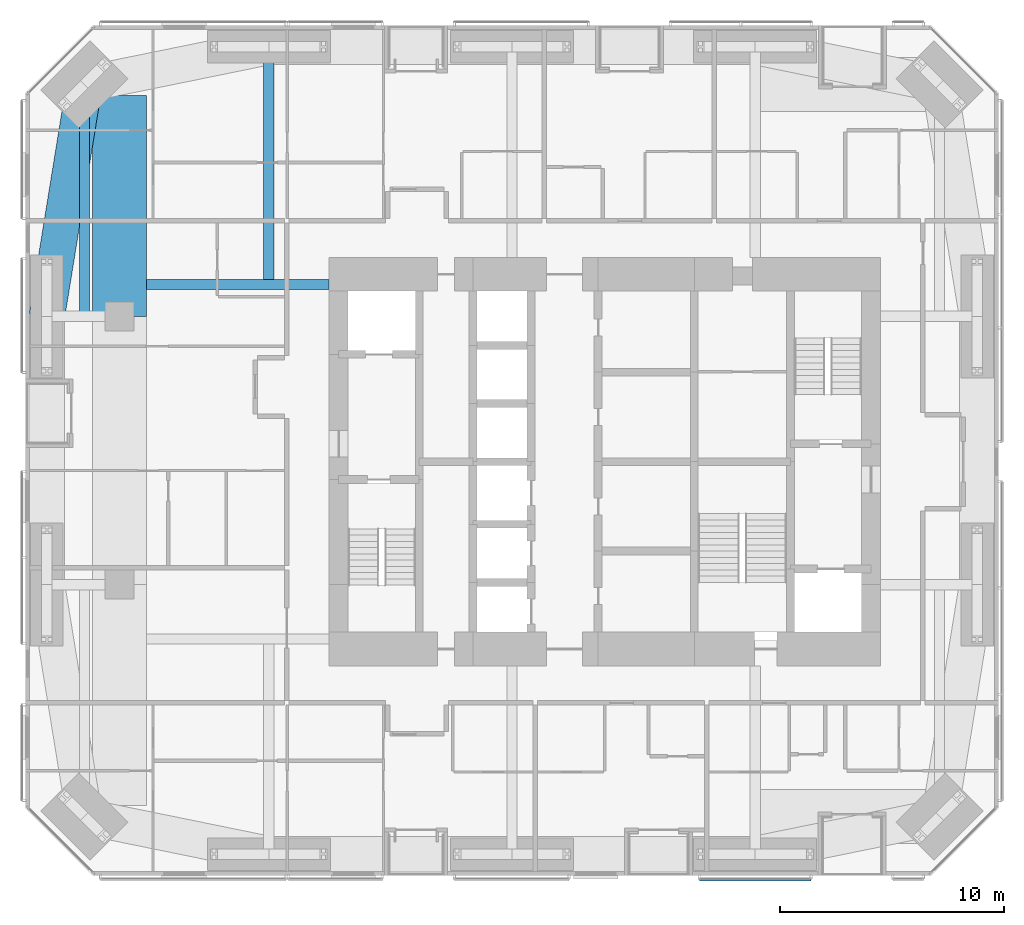
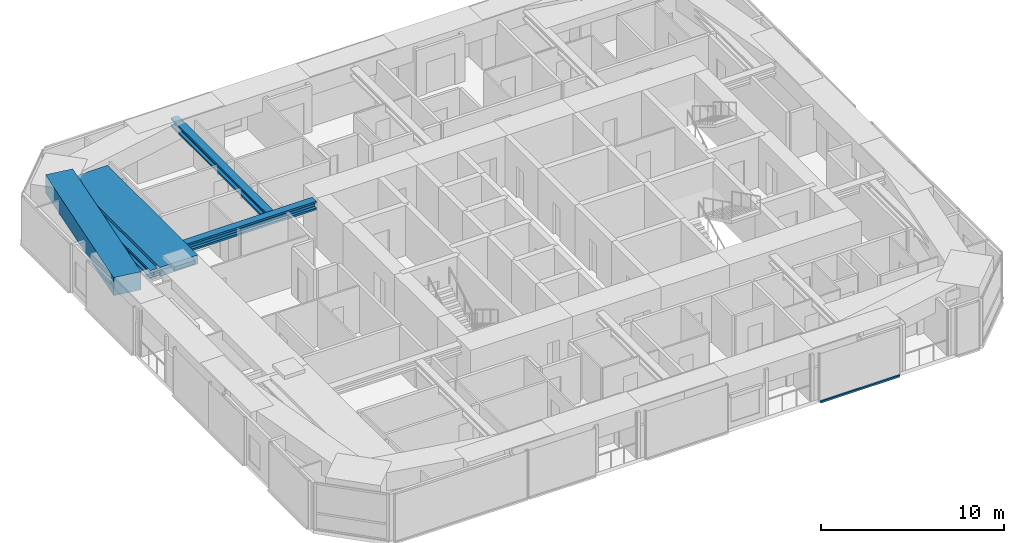
# One storey, part 8 of 25: 5 beams, 1 member, 1 element without a shape of its own.
"""IFC4 building model written with IfcOpenShell, lengths in metres."""

from ifc_helpers import new_model, si_unit, direction, frame, origin, origin_2d, place, context, subcontext, project, spatial, rectangle, i_section, extrude, material, material_profile, profile_set, type_object, element, aggregate, save


model = new_model("IFC4")

# Units and contexts
model_context = context("Model", 3, precision=1e-05, world=origin(), true_north=direction((0.0, 1.0)))
body_context = subcontext(model_context, "Body", "Model", "MODEL_VIEW")
ifc_project = project(units=[si_unit("LENGTHUNIT", "METRE"), si_unit("AREAUNIT", "SQUARE_METRE"), si_unit("VOLUMEUNIT", "CUBIC_METRE"), si_unit("PLANEANGLEUNIT", "RADIAN"), si_unit("MASSUNIT", "GRAM", prefix="KILO")], contexts=[model_context])

# Site, building, storey
site_placement = place(None, origin())
site = spatial("IfcSite", under=ifc_project, at=site_placement, CompositionType="ELEMENT")
building_placement = place(site_placement, origin())
building = spatial("IfcBuilding", under=site, at=building_placement, Name="Jalousie Tower", CompositionType="ELEMENT")
storey_placement = place(building_placement, frame((0.0, 0.0, 101.5)))
storey = spatial("IfcBuildingStorey", under=building, at=storey_placement, Name="L27", CompositionType="ELEMENT", Elevation=101.5)

# Beams
ifc_material_1 = material(Name="Steel ASTM A992 Grade 50", Category="steel")
ifc_material_profile_1 = material_profile(ifc_material_1, i_section(OverallWidth=0.45458984375, OverallDepth=0.569091796875, WebThickness=0.077880859375, FlangeThickness=0.124755859375, at=origin_2d()), Name="W14X730")
ifc_profile_set_1 = profile_set([ifc_material_profile_1], Name="Steel ASTM A992 Grade 50")
beam_type_1 = type_object("IfcBeamType", Name="LEAN COLLECTOR W14X730", PredefinedType="BEAM", material=ifc_profile_set_1)
beam_1_placement = place(storey_placement, frame((11.39990234375, 26.425048828125, 2.825439453125), z_axis=(1.0, 0.0, 0.0), x_axis=(0.0, 1.0, 0.0)))
element("IfcBeam", 1, at=beam_1_placement, inside=storey, type_object=beam_type_1, Name="Lean collector under L28", PredefinedType="BEAM", context=body_context, shape_type="SweptSolid", body=[
    extrude(i_section(OverallWidth=0.45458984375, OverallDepth=0.569091796875, WebThickness=0.077880859375, FlangeThickness=0.124755859375, at=origin_2d()), origin(), (0.0, 0.0, 1.0), 8.175048828125),
])
beam_2_placement = place(storey_placement, frame((8.63134765625, 35.36865234375, 2.825439453125), z_axis=(0.0, -1.0, 0.0), x_axis=(1.0, 0.0, 0.0)))
element("IfcBeam", 2, at=beam_2_placement, inside=storey, type_object=beam_type_1, Name="Lean collector under L28", PredefinedType="BEAM", context=body_context, shape_type="SweptSolid", body=[
    extrude(i_section(OverallWidth=0.45458984375, OverallDepth=0.569091796875, WebThickness=0.077880859375, FlangeThickness=0.124755859375, at=origin_2d()), origin(), (0.0, 0.0, 1.0), 10.36865234375),
])
beam_3_placement = place(storey_placement, frame((16.875, 37.050048828125, 2.825439453125), z_axis=(0.0, -1.0, 0.0), x_axis=(1.0, 0.0, 0.0)))
element("IfcBeam", 3, at=beam_3_placement, inside=storey, type_object=beam_type_1, Name="Lean collector under L28", PredefinedType="BEAM", context=body_context, shape_type="SweptSolid", body=[
    extrude(i_section(OverallWidth=0.45458984375, OverallDepth=0.569091796875, WebThickness=0.077880859375, FlangeThickness=0.124755859375, at=origin_2d()), origin(), (0.0, 0.0, 1.0), 10.625),
])
ifc_material_2 = material(Name="Concrete f'c 40 MPa", Category="concrete")
ifc_material_profile_2 = material_profile(ifc_material_2, rectangle(XDim=1.60009765625, YDim=1.199951171875, at=origin_2d()), Name="RC 1600x1200")
ifc_profile_set_2 = profile_set([ifc_material_profile_2], Name="Concrete f'c 40 MPa")
beam_type_2 = type_object("IfcBeamType", Name="RC BEAM 1600x1200", PredefinedType="BEAM", material=ifc_profile_set_2)
beam_4_placement = place(storey_placement, frame((8.63134765625, 35.36865234375, 2.75), z_axis=(-0.160070546476, -0.987105577003, 0.0), x_axis=(0.987105577003, -0.160070546476, 0.0)))
element("IfcBeam", 4, at=beam_4_placement, inside=storey, type_object=beam_type_2, Name="Edge band beam 12-13 under L28", PredefinedType="BEAM", context=body_context, shape_type="SweptSolid", body=[
    extrude(rectangle(XDim=1.60009765625, YDim=1.199951171875, at=origin_2d()), origin(), (0.0, 0.0, 1.0), 10.504150390625),
])
ifc_material_3 = material(Name="Concrete f'c 40 MPa", Category="concrete")
ifc_material_profile_3 = material_profile(ifc_material_3, rectangle(XDim=2.39990234375, YDim=0.60009765625, at=origin_2d()), Name="RC 2400x600")
ifc_profile_set_3 = profile_set([ifc_material_profile_3], Name="Concrete f'c 40 MPa")
beam_type_3 = type_object("IfcBeamType", Name="RC BEAM 2400x600", PredefinedType="BEAM", material=ifc_profile_set_3)
beam_5_placement = place(storey_placement, frame((10.199951171875, 25.0, 2.81005859375), z_axis=(0.0, 1.0, 0.0), x_axis=(-1.0, 0.0, 0.0)))
element("IfcBeam", 5, at=beam_5_placement, inside=storey, type_object=beam_type_3, Name="Floor band beam under L28", PredefinedType="BEAM", context=body_context, shape_type="SweptSolid", body=[
    extrude(rectangle(XDim=2.39990234375, YDim=0.60009765625, at=origin_2d()), origin(), (0.0, 0.0, 1.0), 9.8720703125),
])

# Curtain wall, member
ifc_material_4 = material(Name="Perforated aluminium sheet", Category="aluminium")
curtain_wall_type = type_object("IfcCurtainWallType", Name="SOLAR SCREEN SS-1", PredefinedType="USERDEFINED", material=ifc_material_4)
curtain_wall_placement = place(storey_placement, origin())
curtain_wall = element("IfcCurtainWall", 6, at=curtain_wall_placement, inside=storey, type_object=curtain_wall_type, Name="Solar screen L27", ObjectType="SOLAR SCREEN SS-1", PredefinedType="USERDEFINED")
ifc_material_5 = material(Name="Extruded aluminium screen rail", Category="aluminium")
ifc_material_profile_4 = material_profile(ifc_material_5, rectangle(XDim=0.1015625, YDim=0.1201171875, at=origin_2d()), Name="RAIL 102x120")
ifc_profile_set_4 = profile_set([ifc_material_profile_4], Name="Extruded aluminium screen rail")
member_type = type_object("IfcMemberType", Name="SOLAR SCREEN SS-1 TRANSOM", PredefinedType="USERDEFINED", material=ifc_profile_set_4)
member_placement = place(storey_placement, frame((36.125, -0.1982421875, -0.06005859375), z_axis=(1.0, 0.0, 0.0), x_axis=(0.0, 1.0, 0.0)))
member = element("IfcMember", 7, at=member_placement, type_object=member_type, Name="SS1 rail", ObjectType="TRANSOM", PredefinedType="USERDEFINED", context=body_context, shape_type="SweptSolid", body=[
    extrude(rectangle(XDim=0.1015625, YDim=0.1201171875, at=origin_2d()), origin(), (0.0, 0.0, 1.0), 5.0),
])
aggregate(curtain_wall, [member])

save(model, "model.ifc")
